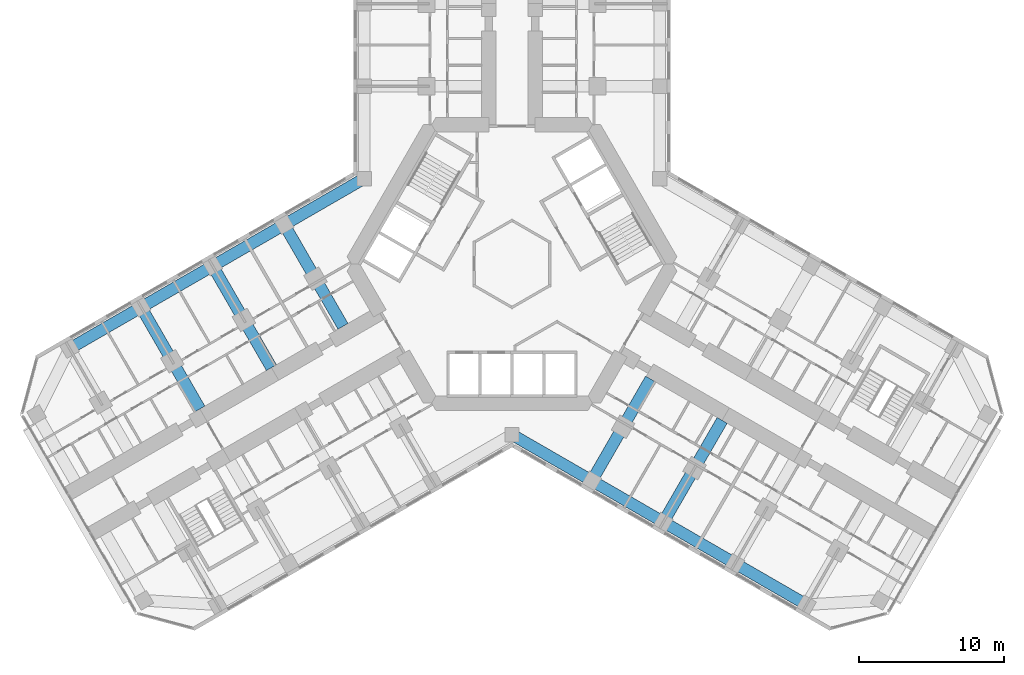
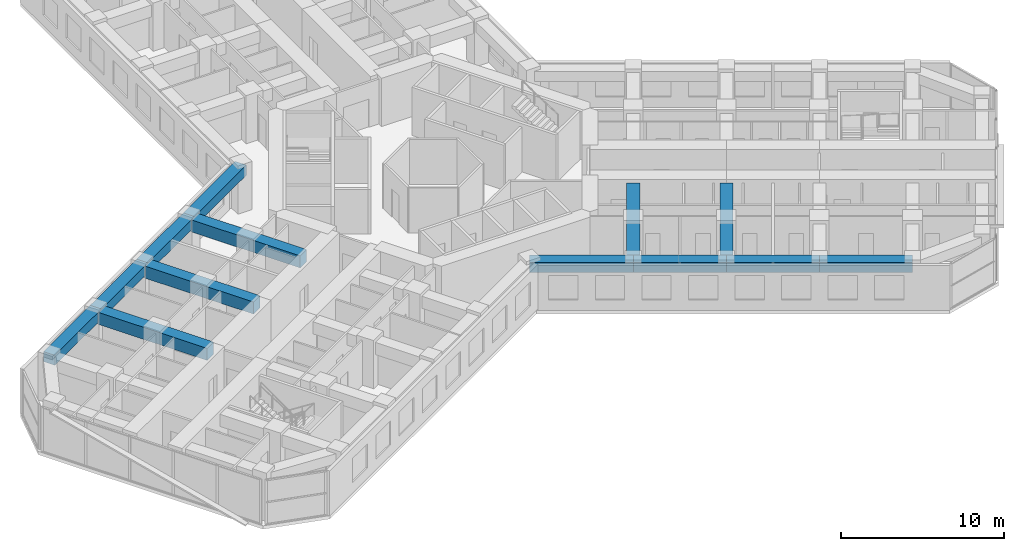
# One storey, part 4 of 21: 13 beams.
"""IFC4 building model written with IfcOpenShell, lengths in metres."""

from ifc_helpers import new_model, si_unit, direction, frame, origin, origin_2d, place, context, subcontext, project, spatial, rectangle, extrude, material, material_profile, profile_set, type_object, element, save


model = new_model("IFC4")

# Units and contexts
model_context = context("Model", 3, precision=1e-05, world=origin(), true_north=direction((0.0, 1.0)))
body_context = subcontext(model_context, "Body", "Model", "MODEL_VIEW")
ifc_project = project(units=[si_unit("LENGTHUNIT", "METRE"), si_unit("AREAUNIT", "SQUARE_METRE"), si_unit("VOLUMEUNIT", "CUBIC_METRE"), si_unit("PLANEANGLEUNIT", "RADIAN"), si_unit("MASSUNIT", "GRAM", prefix="KILO")], contexts=[model_context])

# Site, building, storey
site_placement = place(None, origin())
site = spatial("IfcSite", under=ifc_project, at=site_placement, CompositionType="ELEMENT")
building_placement = place(site_placement, origin())
building = spatial("IfcBuilding", under=site, at=building_placement, Name="Kosmar Iwan School Tower", CompositionType="ELEMENT")
storey_placement = place(building_placement, frame((0.0, 0.0, 50.199951171875)))
storey = spatial("IfcBuildingStorey", under=building, at=storey_placement, Name="L11", CompositionType="ELEMENT", Elevation=50.199951171875)

# Beams
ifc_material_1 = material(Name="Concrete C50/60", Category="concrete")
ifc_material_profile_1 = material_profile(ifc_material_1, rectangle(XDim=0.800048828125, YDim=0.75, at=origin_2d()), Name="RC 800x750")
ifc_profile_set_1 = profile_set([ifc_material_profile_1], Name="Concrete C50/60")
beam_type_1 = type_object("IfcBeamType", Name="RC edge beam 800x750", PredefinedType="BEAM", material=ifc_profile_set_1)
beam_1_placement = place(storey_placement, frame((-10.199951171875, 5.888916015625, 2.97509765625), z_axis=(-0.866030912664, -0.49999045822, 0.0), x_axis=(0.49999045822, -0.866030912664, 0.0)))
element("IfcBeam", 1, at=beam_1_placement, inside=storey, type_object=beam_type_1, Name="Edge beam BR1", PredefinedType="BEAM", context=body_context, shape_type="SweptSolid", body=[
    extrude(rectangle(XDim=0.800048828125, YDim=0.75, at=origin_2d()), origin(), (0.0, 0.0, 1.0), 6.36083984375),
])
beam_2_placement = place(storey_placement, frame((-15.708740234375, 2.70849609375, 2.97509765625), z_axis=(-0.866025820012, -0.499999279071, 0.0), x_axis=(0.499999279071, -0.866025820012, 0.0)))
element("IfcBeam", 2, at=beam_2_placement, inside=storey, type_object=beam_type_1, Name="Edge beam BR2", PredefinedType="BEAM", context=body_context, shape_type="SweptSolid", body=[
    extrude(rectangle(XDim=0.800048828125, YDim=0.75, at=origin_2d()), origin(), (0.0, 0.0, 1.0), 5.7001953125),
])
for number, where, z_axis, x_axis, name in (
    (3, (-20.645263671875, -0.1416015625, 2.97509765625), (-0.866033658841, -0.49998570155, 0.0), (0.49998570155, -0.866033658841, 0.0), "Edge beam BR3"),
    (4, (-25.58154296875, -2.991455078125, 2.97509765625), (-0.866015111908, -0.50001782563, 0.0), (0.50001782563, -0.866015111908, 0.0), "Edge beam BR4"),
):
    element("IfcBeam", number, at=place(storey_placement, frame(where, z_axis=z_axis, x_axis=x_axis)), inside=storey, type_object=beam_type_1, Name=name, PredefinedType="BEAM", context=body_context, shape_type="SweptSolid", body=[
        extrude(rectangle(XDim=0.800048828125, YDim=0.75, at=origin_2d()), origin(), (0.0, 0.0, 1.0), 5.699951171875),
    ])
beam_3_placement = place(storey_placement, frame((0.0, -11.77783203125, 2.97509765625), z_axis=(0.866014293216, -0.500019243575, 0.0), x_axis=(0.500019243575, 0.866014293216, 0.0)))
element("IfcBeam", 5, at=beam_3_placement, inside=storey, type_object=beam_type_1, Name="Edge beam CR1", PredefinedType="BEAM", context=body_context, shape_type="SweptSolid", body=[
    extrude(rectangle(XDim=0.800048828125, YDim=0.75, at=origin_2d()), origin(), (0.0, 0.0, 1.0), 6.361083984375),
])
beam_4_placement = place(storey_placement, frame((5.5087890625, -14.95849609375, 2.97509765625), z_axis=(0.866033658841, -0.49998570155, 0.0), x_axis=(0.49998570155, 0.866033658841, 0.0)))
element("IfcBeam", 6, at=beam_4_placement, inside=storey, type_object=beam_type_1, Name="Edge beam CR2", PredefinedType="BEAM", context=body_context, shape_type="SweptSolid", body=[
    extrude(rectangle(XDim=0.800048828125, YDim=0.75, at=origin_2d()), origin(), (0.0, 0.0, 1.0), 5.699951171875),
])
beam_5_placement = place(storey_placement, frame((10.445068359375, -17.808349609375, 2.97509765625), z_axis=(0.866025820012, -0.499999279071, 0.0), x_axis=(0.499999279071, 0.866025820012, 0.0)))
element("IfcBeam", 7, at=beam_5_placement, inside=storey, type_object=beam_type_1, Name="Edge beam CR3", PredefinedType="BEAM", context=body_context, shape_type="SweptSolid", body=[
    extrude(rectangle(XDim=0.800048828125, YDim=0.75, at=origin_2d()), origin(), (0.0, 0.0, 1.0), 5.7001953125),
])
beam_6_placement = place(storey_placement, frame((15.381591796875, -20.658447265625, 2.97509765625), z_axis=(0.866015111908, -0.50001782563, 0.0), x_axis=(0.50001782563, 0.866015111908, 0.0)))
element("IfcBeam", 8, at=beam_6_placement, inside=storey, type_object=beam_type_1, Name="Edge beam CR4", PredefinedType="BEAM", context=body_context, shape_type="SweptSolid", body=[
    extrude(rectangle(XDim=0.800048828125, YDim=0.75, at=origin_2d()), origin(), (0.0, 0.0, 1.0), 5.699951171875),
])
ifc_material_2 = material(Name="Concrete C50/60", Category="concrete")
ifc_material_profile_2 = material_profile(ifc_material_2, rectangle(XDim=0.800048828125, YDim=0.89990234375, at=origin_2d()), Name="RC 800x900")
ifc_profile_set_2 = profile_set([ifc_material_profile_2], Name="Concrete C50/60")
beam_type_2 = type_object("IfcBeamType", Name="RC transverse beam 800x900", PredefinedType="BEAM", material=ifc_profile_set_2)
beam_7_placement = place(storey_placement, frame((-15.708740234375, 2.70849609375, 2.900146484375), z_axis=(0.499999880539, -0.866025472755, 0.0), x_axis=(0.866025472755, 0.499999880539, 0.0)))
element("IfcBeam", 9, at=beam_7_placement, inside=storey, type_object=beam_type_2, Name="Transverse beam BR1", PredefinedType="BEAM", context=body_context, shape_type="SweptSolid", body=[
    extrude(rectangle(XDim=0.800048828125, YDim=0.89990234375, at=origin_2d()), origin(), (0.0, 0.0, 1.0), 8.10009765625),
])
beam_8_placement = place(storey_placement, frame((-20.645263671875, -0.1416015625, 2.900146484375), z_axis=(0.500012932018, -0.866017937352, 0.0), x_axis=(0.866017937352, 0.500012932018, 0.0)))
element("IfcBeam", 10, at=beam_8_placement, inside=storey, type_object=beam_type_2, Name="Transverse beam BR2", PredefinedType="BEAM", context=body_context, shape_type="SweptSolid", body=[
    extrude(rectangle(XDim=0.800048828125, YDim=0.89990234375, at=origin_2d()), origin(), (0.0, 0.0, 1.0), 8.099853515625),
])
for number, where, z_axis, x_axis, name in (
    (11, (-25.58154296875, -2.991455078125, 2.900146484375), (0.499999880539, -0.866025472755, 0.0), (0.866025472755, 0.499999880539, 0.0), "Transverse beam BR3"),
    (12, (5.5087890625, -14.95849609375, 2.900146484375), (0.499999880539, 0.866025472755, 0.0), (-0.866025472755, 0.499999880539, 0.0), "Transverse beam CR1"),
):
    element("IfcBeam", number, at=place(storey_placement, frame(where, z_axis=z_axis, x_axis=x_axis)), inside=storey, type_object=beam_type_2, Name=name, PredefinedType="BEAM", context=body_context, shape_type="SweptSolid", body=[
        extrude(rectangle(XDim=0.800048828125, YDim=0.89990234375, at=origin_2d()), origin(), (0.0, 0.0, 1.0), 8.10009765625),
    ])
beam_9_placement = place(storey_placement, frame((10.445068359375, -17.808349609375, 2.900146484375), z_axis=(0.500012932018, 0.866017937352, 0.0), x_axis=(-0.866017937352, 0.500012932018, 0.0)))
element("IfcBeam", 13, at=beam_9_placement, inside=storey, type_object=beam_type_2, Name="Transverse beam CR2", PredefinedType="BEAM", context=body_context, shape_type="SweptSolid", body=[
    extrude(rectangle(XDim=0.800048828125, YDim=0.89990234375, at=origin_2d()), origin(), (0.0, 0.0, 1.0), 8.099853515625),
])

save(model, "model.ifc")
